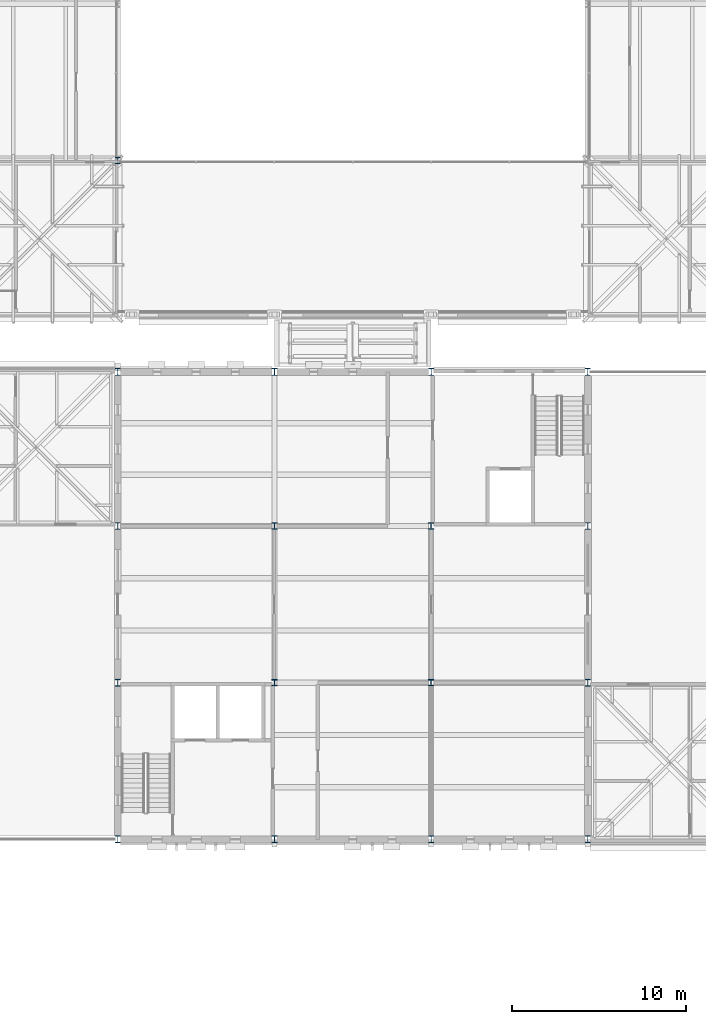
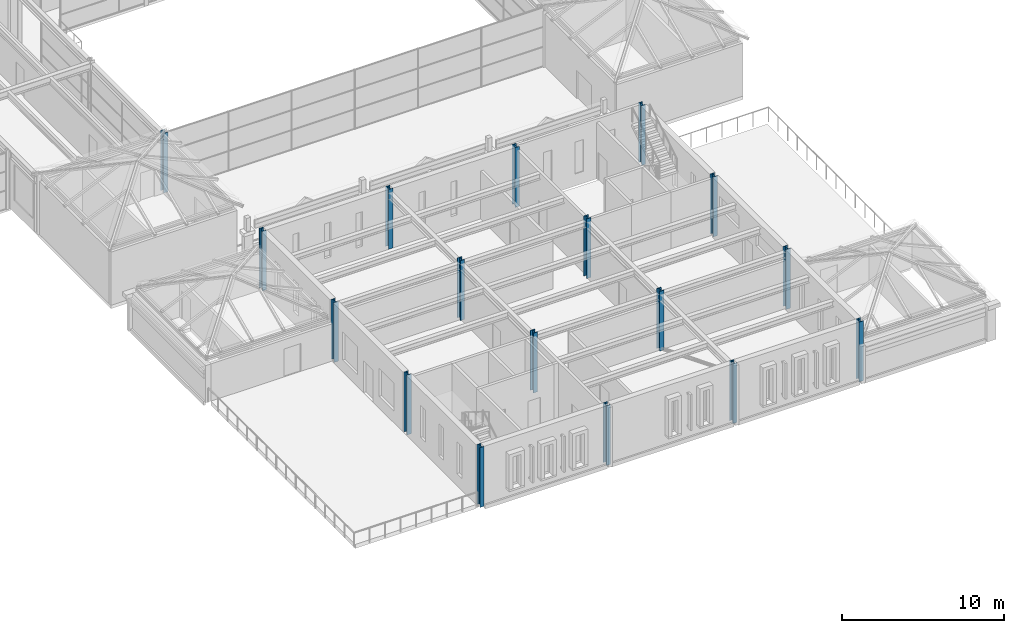
# One storey, part 3 of 149: 17 columns.
"""IFC4 building model written with IfcOpenShell, lengths in metres."""

from ifc_helpers import new_model, si_unit, direction, frame, origin, origin_2d, place, context, subcontext, project, spatial, i_section, extrude, material, material_profile, profile_set, type_object, element, save


model = new_model("IFC4")

# Units and contexts
model_context = context("Model", 3, precision=1e-05, world=origin(), true_north=direction((0.0, 1.0)))
body_context = subcontext(model_context, "Body", "Model", "MODEL_VIEW")
ifc_project = project(units=[si_unit("LENGTHUNIT", "METRE"), si_unit("AREAUNIT", "SQUARE_METRE"), si_unit("VOLUMEUNIT", "CUBIC_METRE"), si_unit("PLANEANGLEUNIT", "RADIAN"), si_unit("MASSUNIT", "GRAM", prefix="KILO")], contexts=[model_context])

# Site, building, storey
site_placement = place(None, origin())
site = spatial("IfcSite", under=ifc_project, at=site_placement, CompositionType="ELEMENT")
building_placement = place(site_placement, origin())
building = spatial("IfcBuilding", under=site, at=building_placement, Name="Kallimachos Central Library", CompositionType="ELEMENT")
storey_placement = place(building_placement, frame((0.0, 0.0, 9.89990234375)))
storey = spatial("IfcBuildingStorey", under=building, at=storey_placement, Name="L02", CompositionType="ELEMENT", Elevation=9.89990234375)

# Columns
ifc_material_1 = material(Name="Steel S355J2", Category="steel")
ifc_material_profile_1 = material_profile(ifc_material_1, i_section(OverallWidth=0.300048828125, OverallDepth=0.39990234375, WebThickness=0.013427734375, FlangeThickness=0.02392578125, FilletRadius=0.027099609375, at=origin_2d()), Name="HEB 400")
ifc_profile_set_1 = profile_set([ifc_material_profile_1], Name="Steel S355J2")
column_type_1 = type_object("IfcColumnType", Name="HEB 400 column", PredefinedType="COLUMN", material=ifc_profile_set_1)
for number, where, z_axis, x_axis, name in (
    (1, (74.5, 18.0, 0.0), (0.0, 0.0, 1.0), (1.0, 0.0, 0.0), "V5-COL-L02-001"),
    (2, (83.5, 18.0, 0.0), (0.0, 0.0, 1.0), (1.0, 0.0, 0.0), "V5-COL-L02-002"),
    (3, (92.5, 18.0, 0.0), (0.0, 0.0, 1.0), (1.0, 0.0, 0.0), "V5-COL-L02-003"),
    (4, (101.5, 18.0, 0.0), (0.0, 0.0, 1.0), (1.0, 0.0, 0.0), "V5-COL-L02-004"),
    (5, (74.5, 27.0, 0.0), (0.0, 0.0, 1.0), (1.0, 0.0, 0.0), "V5-COL-L02-005"),
    (6, (101.5, 27.0, 0.0), (0.0, 0.0, 1.0), (1.0, 0.0, 0.0), "V5-COL-L02-008"),
    (7, (74.5, 36.0, 0.0), (0.0, 0.0, 1.0), (1.0, 0.0, 0.0), "V5-COL-L02-009"),
    (8, (101.5, 36.0, 0.0), (0.0, 0.0, 1.0), (1.0, 0.0, 0.0), "V5-COL-L02-012"),
    (9, (74.5, 44.85009765625, 0.0), (0.0, 0.0, 1.0), (1.0, 0.0, 0.0), "V5-COL-L02-013"),
    (10, (83.5, 44.85009765625, 0.0), (0.0, 0.0, 1.0), (1.0, 0.0, 0.0), "V5-COL-L02-014"),
    (11, (92.5, 44.85009765625, 0.0), (0.0, 0.0, 1.0), (1.0, 0.0, 0.0), "V5-COL-L02-015"),
    (12, (101.5, 44.85009765625, 0.0), (0.0, 0.0, 1.0), (1.0, 0.0, 0.0), "V5-COL-L02-016"),
):
    element("IfcColumn", number, at=place(storey_placement, frame(where, z_axis=z_axis, x_axis=x_axis)), inside=storey, type_object=column_type_1, Name=name, PredefinedType="COLUMN", context=body_context, shape_type="SweptSolid", body=[
        extrude(i_section(OverallWidth=0.300048828125, OverallDepth=0.39990234375, WebThickness=0.013427734375, FlangeThickness=0.02392578125, FilletRadius=0.027099609375, at=origin_2d()), origin(), (0.0, 0.0, 1.0), 4.5),
    ])
ifc_material_2 = material(Name="Steel S355J2", Category="steel")
ifc_material_profile_2 = material_profile(ifc_material_2, i_section(OverallWidth=0.30908203125, OverallDepth=0.376953125, WebThickness=0.02099609375, FlangeThickness=0.0400390625, FilletRadius=0.027099609375, at=origin_2d()), Name="HEM 340")
ifc_profile_set_2 = profile_set([ifc_material_profile_2], Name="Steel S355J2")
column_type_2 = type_object("IfcColumnType", Name="HEM 340 column", PredefinedType="COLUMN", material=ifc_profile_set_2)
for number, where, z_axis, x_axis, name in (
    (13, (83.5, 27.0, 0.0), (0.0, 0.0, 1.0), (1.0, 0.0, 0.0), "V5-COL-L02-006"),
    (14, (92.5, 27.0, 0.0), (0.0, 0.0, 1.0), (1.0, 0.0, 0.0), "V5-COL-L02-007"),
    (15, (83.5, 36.0, 0.0), (0.0, 0.0, 1.0), (1.0, 0.0, 0.0), "V5-COL-L02-010"),
    (16, (92.5, 36.0, 0.0), (0.0, 0.0, 1.0), (1.0, 0.0, 0.0), "V5-COL-L02-011"),
    (17, (74.5, 57.0, 0.0), (0.0, 0.0, 1.0), (1.0, 0.0, 0.0), "V4-COL-L02-004"),
):
    element("IfcColumn", number, at=place(storey_placement, frame(where, z_axis=z_axis, x_axis=x_axis)), inside=storey, type_object=column_type_2, Name=name, PredefinedType="COLUMN", context=body_context, shape_type="SweptSolid", body=[
        extrude(i_section(OverallWidth=0.30908203125, OverallDepth=0.376953125, WebThickness=0.02099609375, FlangeThickness=0.0400390625, FilletRadius=0.027099609375, at=origin_2d()), origin(), (0.0, 0.0, 1.0), 4.5),
    ])

save(model, "model.ifc")
